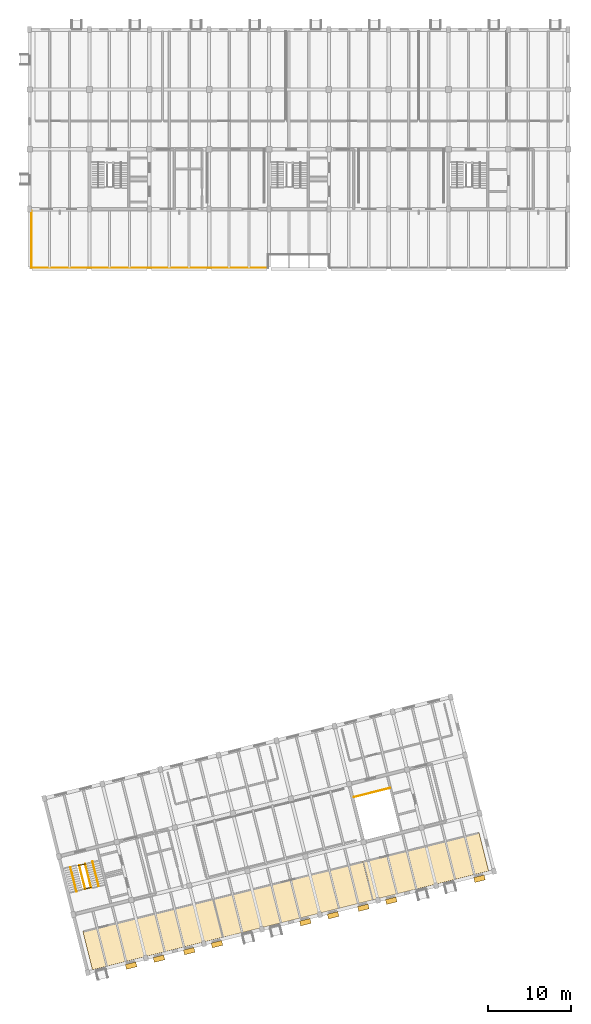
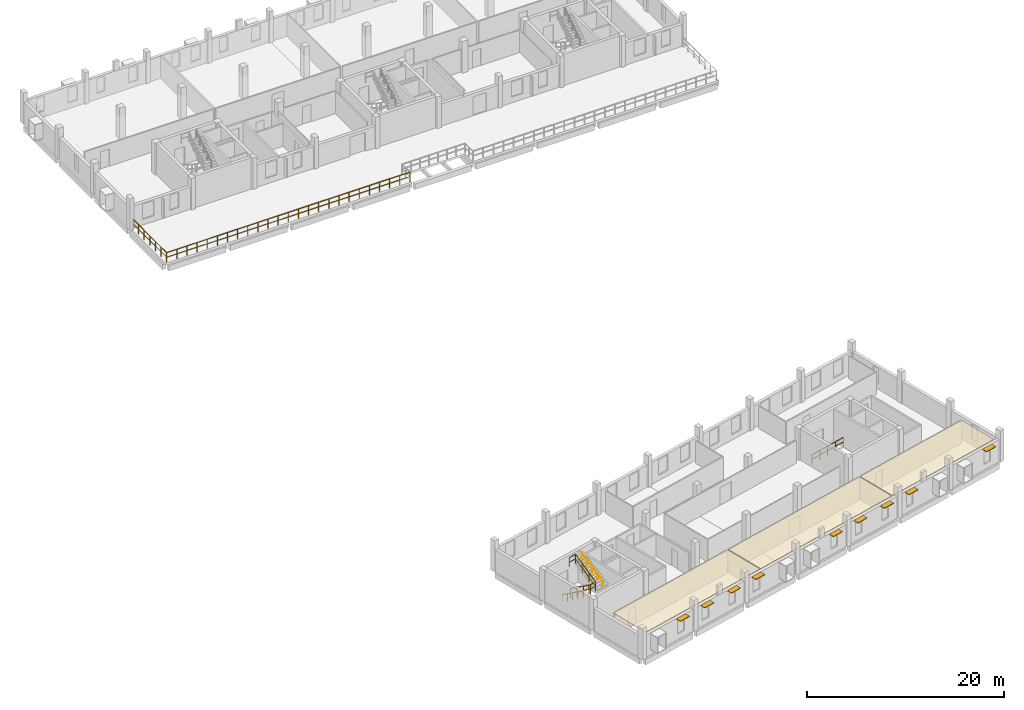
# One storey, part 13 of 14: 9 railings, 9 shading devices, 3 coverings.
"""IFC4 building model written with IfcOpenShell, lengths in metres."""

from ifc_helpers import new_model, si_unit, direction, frame, origin, origin_2d, place, context, subcontext, project, spatial, polyline, rectangle, circle, outline, extrude, material, layer, layer_set, material_profile, profile_set, type_object, element, save


model = new_model("IFC4")

# Units and contexts
model_context = context("Model", 3, precision=1e-05, world=origin(), true_north=direction((0.0, 1.0)))
body_context = subcontext(model_context, "Body", "Model", "MODEL_VIEW")
ifc_project = project(units=[si_unit("LENGTHUNIT", "METRE"), si_unit("AREAUNIT", "SQUARE_METRE"), si_unit("VOLUMEUNIT", "CUBIC_METRE"), si_unit("PLANEANGLEUNIT", "RADIAN"), si_unit("MASSUNIT", "GRAM", prefix="KILO")], contexts=[model_context])

# Site, building, storey
site_placement = place(None, origin())
site = spatial("IfcSite", under=ifc_project, at=site_placement, CompositionType="ELEMENT")
building_placement = place(site_placement, origin())
building = spatial("IfcBuilding", under=site, at=building_placement, Name="Qiaolan Assembly House", CompositionType="ELEMENT")
storey_placement = place(building_placement, frame((0.0, 0.0, 22.5)))
storey = spatial("IfcBuildingStorey", under=building, at=storey_placement, Name="L05", CompositionType="ELEMENT", Elevation=22.5)

# Coverings
ifc_material_1 = material(Name="Gypsum plasterboard acoustic ceiling")
ifc_layer = layer(ifc_material_1, 0.044921875)
ifc_layer_set = layer_set([ifc_layer], Name="Gypsum plasterboard acoustic ceiling")
covering_type = type_object("IfcCoveringType", Name="COV-CEIL-ACOUSTIC", PredefinedType="CEILING", material=ifc_layer_set)
covering_1_placement = place(storey_placement, frame((0.0, 0.0, 2.735107421875)))
element("IfcCovering", 1, at=covering_1_placement, inside=storey, type_object=covering_type, Name="Suspended ceiling Civic Ombudsman & Public Audit Directorate", PredefinedType="CEILING", context=body_context, shape_type="SweptSolid", body=[
    extrude(outline(polyline([(43.5634765625, 2.0712890625), (59.204833984375, 5.97119140625), (58.04833984375, 10.609130859375), (42.4072265625, 6.709228515625), (43.5634765625, 2.0712890625)])), origin(), (0.0, 0.0, 1.0), 0.044921875),
])
covering_2_placement = place(storey_placement, frame((0.0, 0.0, 2.735107421875)))
element("IfcCovering", 2, at=covering_2_placement, inside=storey, type_object=covering_type, Name="Suspended ceiling Administrative Review Hearing Chamber", PredefinedType="CEILING", context=body_context, shape_type="SweptSolid", body=[
    extrude(outline(polyline([(59.282470703125, 5.990478515625), (77.252197265625, 10.470947265625), (76.095947265625, 15.10888671875), (58.1259765625, 10.62841796875), (59.282470703125, 5.990478515625)])), origin(), (0.0, 0.0, 1.0), 0.044921875),
])
covering_3_placement = place(storey_placement, frame((0.0, 0.0, 2.735107421875)))
element("IfcCovering", 3, at=covering_3_placement, inside=storey, type_object=covering_type, Name="Suspended ceiling Staff Reading & Quiet Study Salon", PredefinedType="CEILING", context=body_context, shape_type="SweptSolid", body=[
    extrude(outline(polyline([(77.329833984375, 10.490234375), (91.224609375, 13.95458984375), (90.068115234375, 18.592529296875), (76.173583984375, 15.128173828125), (77.329833984375, 10.490234375)])), origin(), (0.0, 0.0, 1.0), 0.044921875),
])

# Railings
ifc_material_2 = material(Name="Anodised bronze aluminium", Category="aluminium")
railing_type_1 = type_object("IfcRailingType", Name="RAL-GUARD-STAIRWELL-1150", PredefinedType="GUARDRAIL", material=ifc_material_2)
railing_1_placement = place(storey_placement, frame((41.97802734375, 14.630859375, 0.0)))
element("IfcRailing", 4, at=railing_1_placement, inside=storey, type_object=railing_type_1, Name="GR-01 stair inner-well guard FLT-CORE-C-L05-1", PredefinedType="GUARDRAIL", context=body_context, shape_type="SweptSolid", body=[
    extrude(circle(Radius=0.02392578125, at=origin_2d()), frame((0.0, 0.0, 1.1259765625), z_axis=(0.201115041454, -0.80647897378, 0.556007558358), x_axis=(0.970285205568, 0.241964087949, 0.0)), (0.0, 0.0, 1.0), 3.507080078125),
    extrude(circle(Radius=0.01611328125, at=origin_2d()), frame((0.0, 0.0, 0.574951171875), z_axis=(0.201115041454, -0.80647897378, 0.556007558358), x_axis=(0.970285205568, 0.241964087949, 0.0)), (0.0, 0.0, 1.0), 3.507080078125),
    extrude(circle(Radius=0.02099609375, at=origin_2d()), origin(), (0.0, 0.0, 1.0), 1.101806640625),
    extrude(circle(Radius=0.02099609375, at=origin_2d()), frame((0.235107421875, -0.94287109375, 0.64990234375)), (0.0, 0.0, 1.0), 1.101806640625),
    extrude(circle(Radius=0.02099609375, at=origin_2d()), frame((0.47021484375, -1.885498046875, 1.300048828125)), (0.0, 0.0, 1.0), 1.101806640625),
    extrude(circle(Radius=0.02099609375, at=origin_2d()), frame((0.705322265625, -2.828369140625, 1.949951171875)), (0.0, 0.0, 1.0), 1.101806640625),
])
railing_2_placement = place(storey_placement, frame((43.4013671875, 11.9814453125, 1.949951171875)))
element("IfcRailing", 5, at=railing_2_placement, inside=storey, type_object=railing_type_1, Name="GR-01 stair inner-well guard FLT-CORE-C-L05-2", PredefinedType="GUARDRAIL", context=body_context, shape_type="SweptSolid", body=[
    extrude(circle(Radius=0.02392578125, at=origin_2d()), frame((0.0, 0.0, 1.1259765625), z_axis=(-0.201115041454, 0.80647897378, 0.556007558358), x_axis=(-0.970285205568, -0.241964087949, 0.0)), (0.0, 0.0, 1.0), 3.507080078125),
    extrude(circle(Radius=0.01611328125, at=origin_2d()), frame((0.0, 0.0, 0.574951171875), z_axis=(-0.201115041454, 0.80647897378, 0.556007558358), x_axis=(-0.970285205568, -0.241964087949, 0.0)), (0.0, 0.0, 1.0), 3.507080078125),
    extrude(circle(Radius=0.02099609375, at=origin_2d()), origin(), (0.0, 0.0, 1.0), 1.101806640625),
    extrude(circle(Radius=0.02099609375, at=origin_2d()), frame((-0.235107421875, 0.94287109375, 0.64990234375)), (0.0, 0.0, 1.0), 1.101806640625),
    extrude(circle(Radius=0.02099609375, at=origin_2d()), frame((-0.47021484375, 1.885498046875, 1.300048828125)), (0.0, 0.0, 1.0), 1.101806640625),
    extrude(circle(Radius=0.02099609375, at=origin_2d()), frame((-0.705322265625, 2.828369140625, 1.949951171875)), (0.0, 0.0, 1.0), 1.101806640625),
])
railing_3_placement = place(storey_placement, frame((42.528076171875, 11.763671875, 1.949951171875)))
element("IfcRailing", 6, at=railing_3_placement, inside=storey, type_object=railing_type_1, Name="GR-01 stairwell landing guard CORE-C L05-1", PredefinedType="GUARDRAIL", context=body_context, shape_type="SweptSolid", body=[
    extrude(circle(Radius=0.02392578125, at=origin_2d()), frame((0.0, 0.0, 1.1259765625), z_axis=(0.97026726112, 0.242036034503, 0.0), x_axis=(-0.242036034503, 0.97026726112, 0.0)), (0.0, 0.0, 1.0), 0.919921875),
    extrude(circle(Radius=0.01611328125, at=origin_2d()), frame((0.0, 0.0, 0.574951171875), z_axis=(0.97026726112, 0.242036034503, 0.0), x_axis=(-0.242036034503, 0.97026726112, 0.0)), (0.0, 0.0, 1.0), 0.919921875),
    extrude(circle(Radius=0.02099609375, at=origin_2d()), origin(), (0.0, 0.0, 1.0), 1.101806640625),
    extrude(circle(Radius=0.02099609375, at=origin_2d()), frame((0.892578125, 0.22265625, 0.0)), (0.0, 0.0, 1.0), 1.101806640625),
])
railing_4_placement = place(storey_placement, frame((41.82275390625, 14.592041015625, 3.89990234375)))
element("IfcRailing", 7, at=railing_4_placement, inside=storey, type_object=railing_type_1, Name="GR-01 stairwell landing guard CORE-C L05-2", PredefinedType="GUARDRAIL", context=body_context, shape_type="SweptSolid", body=[
    extrude(circle(Radius=0.02392578125, at=origin_2d()), frame((0.0, 0.0, 1.1259765625), z_axis=(0.970282802069, 0.241973725865, 0.0), x_axis=(-0.241973725865, 0.970282802069, 0.0)), (0.0, 0.0, 1.0), 0.920166015625),
    extrude(circle(Radius=0.01611328125, at=origin_2d()), frame((0.0, 0.0, 0.574951171875), z_axis=(0.970282802069, 0.241973725865, 0.0), x_axis=(-0.241973725865, 0.970282802069, 0.0)), (0.0, 0.0, 1.0), 0.920166015625),
    extrude(circle(Radius=0.02099609375, at=origin_2d()), origin(), (0.0, 0.0, 1.0), 1.101806640625),
    extrude(circle(Radius=0.02099609375, at=origin_2d()), frame((0.892822265625, 0.22265625, 0.0)), (0.0, 0.0, 1.0), 1.101806640625),
])
railing_5_placement = place(storey_placement, frame((75.045654296875, 22.87548828125, 0.0)))
element("IfcRailing", 8, at=railing_5_placement, inside=storey, type_object=railing_type_1, Name="GR-01 top stairwell guard CORE-D L05", PredefinedType="GUARDRAIL", context=body_context, shape_type="SweptSolid", body=[
    extrude(circle(Radius=0.02392578125, at=origin_2d()), frame((0.0, 0.0, 1.1259765625), z_axis=(0.970291104491, 0.241940431812, 0.0), x_axis=(-0.241940431812, 0.970291104491, 0.0)), (0.0, 0.0, 1.0), 4.43994140625),
    extrude(circle(Radius=0.01611328125, at=origin_2d()), frame((0.0, 0.0, 0.574951171875), z_axis=(0.970291104491, 0.241940431812, 0.0), x_axis=(-0.241940431812, 0.970291104491, 0.0)), (0.0, 0.0, 1.0), 4.43994140625),
    extrude(circle(Radius=0.02099609375, at=origin_2d()), origin(), (0.0, 0.0, 1.0), 1.101806640625),
    extrude(circle(Radius=0.02099609375, at=origin_2d()), frame((1.0771484375, 0.2685546875, 0.0)), (0.0, 0.0, 1.0), 1.101806640625),
    extrude(circle(Radius=0.02099609375, at=origin_2d()), frame((2.154052734375, 0.537109375, 0.0)), (0.0, 0.0, 1.0), 1.101806640625),
    extrude(circle(Radius=0.02099609375, at=origin_2d()), frame((3.23095703125, 0.8056640625, 0.0)), (0.0, 0.0, 1.0), 1.101806640625),
    extrude(circle(Radius=0.02099609375, at=origin_2d()), frame((4.30810546875, 1.07421875, 0.0)), (0.0, 0.0, 1.0), 1.101806640625),
])
railing_type_2 = type_object("IfcRailingType", Name="RAL-GUARD-TERRACE-1180", PredefinedType="GUARDRAIL", material=ifc_material_2)
railing_6_placement = place(storey_placement, frame((36.199951171875, 86.550048828125, 0.0)))
element("IfcRailing", 9, at=railing_6_placement, inside=storey, type_object=railing_type_2, Name="GR-03 L05 South Court Terrace Guard seg 1", PredefinedType="GUARDRAIL", context=body_context, shape_type="SweptSolid", body=[
    extrude(circle(Radius=0.02392578125, at=origin_2d()), frame((0.0, 0.0, 1.15576171875), z_axis=(1.0, 0.0, 0.0), x_axis=(0.0, 1.0, 0.0)), (0.0, 0.0, 1.0), 28.5),
    extrude(circle(Radius=0.01611328125, at=origin_2d()), frame((0.0, 0.0, 0.58984375), z_axis=(1.0, 0.0, 0.0), x_axis=(0.0, 1.0, 0.0)), (0.0, 0.0, 1.0), 28.5),
    extrude(circle(Radius=0.02099609375, at=origin_2d()), origin(), (0.0, 0.0, 1.0), 1.1318359375),
    extrude(circle(Radius=0.02099609375, at=origin_2d()), frame((1.1875, 0.0, 0.0)), (0.0, 0.0, 1.0), 1.1318359375),
    extrude(circle(Radius=0.02099609375, at=origin_2d()), frame((2.375, 0.0, 0.0)), (0.0, 0.0, 1.0), 1.1318359375),
    extrude(circle(Radius=0.02099609375, at=origin_2d()), frame((3.5625, 0.0, 0.0)), (0.0, 0.0, 1.0), 1.1318359375),
    extrude(circle(Radius=0.02099609375, at=origin_2d()), frame((4.75, 0.0, 0.0)), (0.0, 0.0, 1.0), 1.1318359375),
    extrude(circle(Radius=0.02099609375, at=origin_2d()), frame((5.9375, 0.0, 0.0)), (0.0, 0.0, 1.0), 1.1318359375),
    extrude(circle(Radius=0.02099609375, at=origin_2d()), frame((7.125, 0.0, 0.0)), (0.0, 0.0, 1.0), 1.1318359375),
    extrude(circle(Radius=0.02099609375, at=origin_2d()), frame((8.3125, 0.0, 0.0)), (0.0, 0.0, 1.0), 1.1318359375),
    extrude(circle(Radius=0.02099609375, at=origin_2d()), frame((9.5, 0.0, 0.0)), (0.0, 0.0, 1.0), 1.1318359375),
    extrude(circle(Radius=0.02099609375, at=origin_2d()), frame((10.6875, 0.0, 0.0)), (0.0, 0.0, 1.0), 1.1318359375),
    extrude(circle(Radius=0.02099609375, at=origin_2d()), frame((11.875, 0.0, 0.0)), (0.0, 0.0, 1.0), 1.1318359375),
    extrude(circle(Radius=0.02099609375, at=origin_2d()), frame((13.0625, 0.0, 0.0)), (0.0, 0.0, 1.0), 1.1318359375),
    extrude(circle(Radius=0.02099609375, at=origin_2d()), frame((14.25, 0.0, 0.0)), (0.0, 0.0, 1.0), 1.1318359375),
    extrude(circle(Radius=0.02099609375, at=origin_2d()), frame((15.4375, 0.0, 0.0)), (0.0, 0.0, 1.0), 1.1318359375),
    extrude(circle(Radius=0.02099609375, at=origin_2d()), frame((16.625, 0.0, 0.0)), (0.0, 0.0, 1.0), 1.1318359375),
    extrude(circle(Radius=0.02099609375, at=origin_2d()), frame((17.8125, 0.0, 0.0)), (0.0, 0.0, 1.0), 1.1318359375),
    extrude(circle(Radius=0.02099609375, at=origin_2d()), frame((19.0, 0.0, 0.0)), (0.0, 0.0, 1.0), 1.1318359375),
    extrude(circle(Radius=0.02099609375, at=origin_2d()), frame((20.1875, 0.0, 0.0)), (0.0, 0.0, 1.0), 1.1318359375),
    extrude(circle(Radius=0.02099609375, at=origin_2d()), frame((21.375, 0.0, 0.0)), (0.0, 0.0, 1.0), 1.1318359375),
    extrude(circle(Radius=0.02099609375, at=origin_2d()), frame((22.5625, 0.0, 0.0)), (0.0, 0.0, 1.0), 1.1318359375),
    extrude(circle(Radius=0.02099609375, at=origin_2d()), frame((23.75, 0.0, 0.0)), (0.0, 0.0, 1.0), 1.1318359375),
    extrude(circle(Radius=0.02099609375, at=origin_2d()), frame((24.9375, 0.0, 0.0)), (0.0, 0.0, 1.0), 1.1318359375),
    extrude(circle(Radius=0.02099609375, at=origin_2d()), frame((26.125, 0.0, 0.0)), (0.0, 0.0, 1.0), 1.1318359375),
    extrude(circle(Radius=0.02099609375, at=origin_2d()), frame((27.3125, 0.0, 0.0)), (0.0, 0.0, 1.0), 1.1318359375),
    extrude(circle(Radius=0.02099609375, at=origin_2d()), frame((28.5, 0.0, 0.0)), (0.0, 0.0, 1.0), 1.1318359375),
])
railing_7_placement = place(storey_placement, frame((36.199951171875, 86.550048828125, 0.0)))
element("IfcRailing", 10, at=railing_7_placement, inside=storey, type_object=railing_type_2, Name="GR-03 L05 South Terrace West Return Guard", PredefinedType="GUARDRAIL", context=body_context, shape_type="SweptSolid", body=[
    extrude(circle(Radius=0.02392578125, at=origin_2d()), frame((0.0, 0.0, 1.15576171875), z_axis=(0.0, 1.0, 0.0), x_axis=(-1.0, 0.0, 0.0)), (0.0, 0.0, 1.0), 6.849853515625),
    extrude(circle(Radius=0.01611328125, at=origin_2d()), frame((0.0, 0.0, 0.58984375), z_axis=(0.0, 1.0, 0.0), x_axis=(-1.0, 0.0, 0.0)), (0.0, 0.0, 1.0), 6.849853515625),
    extrude(circle(Radius=0.02099609375, at=origin_2d()), origin(), (0.0, 0.0, 1.0), 1.1318359375),
    extrude(circle(Radius=0.02099609375, at=origin_2d()), frame((0.0, 1.1416015625, 0.0)), (0.0, 0.0, 1.0), 1.1318359375),
    extrude(circle(Radius=0.02099609375, at=origin_2d()), frame((0.0, 2.283203125, 0.0)), (0.0, 0.0, 1.0), 1.1318359375),
    extrude(circle(Radius=0.02099609375, at=origin_2d()), frame((0.0, 3.4248046875, 0.0)), (0.0, 0.0, 1.0), 1.1318359375),
    extrude(circle(Radius=0.02099609375, at=origin_2d()), frame((0.0, 4.566650390625, 0.0)), (0.0, 0.0, 1.0), 1.1318359375),
    extrude(circle(Radius=0.02099609375, at=origin_2d()), frame((0.0, 5.708251953125, 0.0)), (0.0, 0.0, 1.0), 1.1318359375),
    extrude(circle(Radius=0.02099609375, at=origin_2d()), frame((0.0, 6.849853515625, 0.0)), (0.0, 0.0, 1.0), 1.1318359375),
])
railing_type_3 = type_object("IfcRailingType", Name="RAL-HANDRAIL-STAIR-920", PredefinedType="HANDRAIL", material=ifc_material_2)
railing_8_placement = place(storey_placement, frame((40.906005859375, 14.42529296875, 0.0)))
element("IfcRailing", 11, at=railing_8_placement, inside=storey, type_object=railing_type_3, Name="HR-01 stair handrail FLT-CORE-C-L05-1", PredefinedType="HANDRAIL", context=body_context, shape_type="SweptSolid", body=[
    extrude(circle(Radius=0.02392578125, at=origin_2d()), frame((0.0, 0.0, 0.89599609375), z_axis=(0.203507602252, -0.816331459384, 0.540543804187), x_axis=(0.970303172649, 0.241892027869, 0.0)), (0.0, 0.0, 1.0), 3.607421875),
    extrude(circle(Radius=0.02099609375, at=origin_2d()), origin(), (0.0, 0.0, 1.0), 0.871826171875),
    extrude(circle(Radius=0.02099609375, at=origin_2d()), frame((0.18359375, -0.736328125, 0.487548828125)), (0.0, 0.0, 1.0), 0.871826171875),
    extrude(circle(Radius=0.02099609375, at=origin_2d()), frame((0.3671875, -1.472412109375, 0.97509765625)), (0.0, 0.0, 1.0), 0.871826171875),
    extrude(circle(Radius=0.02099609375, at=origin_2d()), frame((0.550537109375, -2.20849609375, 1.46240234375)), (0.0, 0.0, 1.0), 0.871826171875),
    extrude(circle(Radius=0.02099609375, at=origin_2d()), frame((0.734130859375, -2.94482421875, 1.949951171875)), (0.0, 0.0, 1.0), 0.871826171875),
])
railing_9_placement = place(storey_placement, frame((44.308349609375, 12.145751953125, 1.949951171875)))
element("IfcRailing", 12, at=railing_9_placement, inside=storey, type_object=railing_type_3, Name="HR-01 stair handrail FLT-CORE-C-L05-2", PredefinedType="HANDRAIL", context=body_context, shape_type="SweptSolid", body=[
    extrude(circle(Radius=0.02392578125, at=origin_2d()), frame((0.0, 0.0, 0.89599609375), z_axis=(-0.203507602252, 0.816331459384, 0.540543804187), x_axis=(-0.970303172649, -0.241892027869, 0.0)), (0.0, 0.0, 1.0), 3.607421875),
    extrude(circle(Radius=0.02099609375, at=origin_2d()), origin(), (0.0, 0.0, 1.0), 0.871826171875),
    extrude(circle(Radius=0.02099609375, at=origin_2d()), frame((-0.18359375, 0.736328125, 0.487548828125)), (0.0, 0.0, 1.0), 0.871826171875),
    extrude(circle(Radius=0.02099609375, at=origin_2d()), frame((-0.3671875, 1.472412109375, 0.97509765625)), (0.0, 0.0, 1.0), 0.871826171875),
    extrude(circle(Radius=0.02099609375, at=origin_2d()), frame((-0.550537109375, 2.20849609375, 1.46240234375)), (0.0, 0.0, 1.0), 0.871826171875),
    extrude(circle(Radius=0.02099609375, at=origin_2d()), frame((-0.734130859375, 2.94482421875, 1.949951171875)), (0.0, 0.0, 1.0), 0.871826171875),
])

# Shading devices
ifc_material_profile = material_profile(ifc_material_2, rectangle(XDim=0.60009765625, YDim=0.070068359375, at=origin_2d()), Name="SHD 600x70")
ifc_profile_set = profile_set([ifc_material_profile], Name="Anodised bronze aluminium")
shading_device_type = type_object("IfcShadingDeviceType", Name="SHD-SUNSHADE-AL-600", PredefinedType="AWNING", material=ifc_profile_set)
shading_device_1_placement = place(storey_placement, frame((47.58251953125, 2.424072265625, 2.639892578125), z_axis=(0.970307970296, 0.241872782222, 0.0), x_axis=(-0.241872782222, 0.970307970296, 0.0)))
element("IfcShadingDevice", 13, at=shading_device_1_placement, inside=storey, type_object=shading_device_type, Name="SH-02 horizontal sunshade louvre L05-1", PredefinedType="AWNING", context=body_context, shape_type="SweptSolid", body=[
    extrude(rectangle(XDim=0.60009765625, YDim=0.070068359375, at=origin_2d()), origin(), (0.0, 0.0, 1.0), 1.300048828125),
])
for number, where, z_axis, x_axis, name in (
    (14, (50.93017578125, 3.2587890625, 2.639892578125), (0.970296981152, 0.24191686251, 0.0), (-0.24191686251, 0.970296981152, 0.0), "SH-02 horizontal sunshade louvre L05-2"),
    (15, (54.56884765625, 4.166015625, 2.639892578125), (0.970296981152, 0.24191686251, 0.0), (-0.24191686251, 0.970296981152, 0.0), "SH-02 horizontal sunshade louvre L05-2"),
):
    element("IfcShadingDevice", number, at=place(storey_placement, frame(where, z_axis=z_axis, x_axis=x_axis)), inside=storey, type_object=shading_device_type, Name=name, PredefinedType="AWNING", context=body_context, shape_type="SweptSolid", body=[
        extrude(rectangle(XDim=0.60009765625, YDim=0.070068359375, at=origin_2d()), origin(), (0.0, 0.0, 1.0), 1.2998046875),
    ])
for number, where, z_axis, x_axis, name in (
    (16, (57.916259765625, 5.00048828125, 2.639892578125), (0.970307970296, 0.241872782222, 0.0), (-0.241872782222, 0.970307970296, 0.0), "SH-02 horizontal sunshade louvre L05-3"),
    (17, (68.541015625, 7.649658203125, 2.639892578125), (0.970307970296, 0.241872782222, 0.0), (-0.241872782222, 0.970307970296, 0.0), "SH-02 horizontal sunshade louvre L05-4"),
    (18, (71.888427734375, 8.484130859375, 2.639892578125), (0.970263883687, 0.242049573461, 0.0), (-0.242049573461, 0.970263883687, 0.0), "SH-02 horizontal sunshade louvre L05-5"),
    (19, (75.527099609375, 9.391357421875, 2.639892578125), (0.970263883687, 0.242049573461, 0.0), (-0.242049573461, 0.970263883687, 0.0), "SH-02 horizontal sunshade louvre L05-5"),
):
    element("IfcShadingDevice", number, at=place(storey_placement, frame(where, z_axis=z_axis, x_axis=x_axis)), inside=storey, type_object=shading_device_type, Name=name, PredefinedType="AWNING", context=body_context, shape_type="SweptSolid", body=[
        extrude(rectangle(XDim=0.60009765625, YDim=0.070068359375, at=origin_2d()), origin(), (0.0, 0.0, 1.0), 1.300048828125),
    ])
shading_device_2_placement = place(storey_placement, frame((78.874755859375, 10.22607421875, 2.639892578125), z_axis=(0.970296981152, 0.24191686251, 0.0), x_axis=(-0.24191686251, 0.970296981152, 0.0)))
element("IfcShadingDevice", 20, at=shading_device_2_placement, inside=storey, type_object=shading_device_type, Name="SH-02 horizontal sunshade louvre L05-6", PredefinedType="AWNING", context=body_context, shape_type="SweptSolid", body=[
    extrude(rectangle(XDim=0.60009765625, YDim=0.070068359375, at=origin_2d()), origin(), (0.0, 0.0, 1.0), 1.2998046875),
])
shading_device_3_placement = place(storey_placement, frame((89.499267578125, 12.875, 2.639892578125), z_axis=(0.970263883687, 0.242049573461, 0.0), x_axis=(-0.242049573461, 0.970263883687, 0.0)))
element("IfcShadingDevice", 21, at=shading_device_3_placement, inside=storey, type_object=shading_device_type, Name="SH-02 horizontal sunshade louvre L05-7", PredefinedType="AWNING", context=body_context, shape_type="SweptSolid", body=[
    extrude(rectangle(XDim=0.60009765625, YDim=0.070068359375, at=origin_2d()), origin(), (0.0, 0.0, 1.0), 1.300048828125),
])

save(model, "model.ifc")
